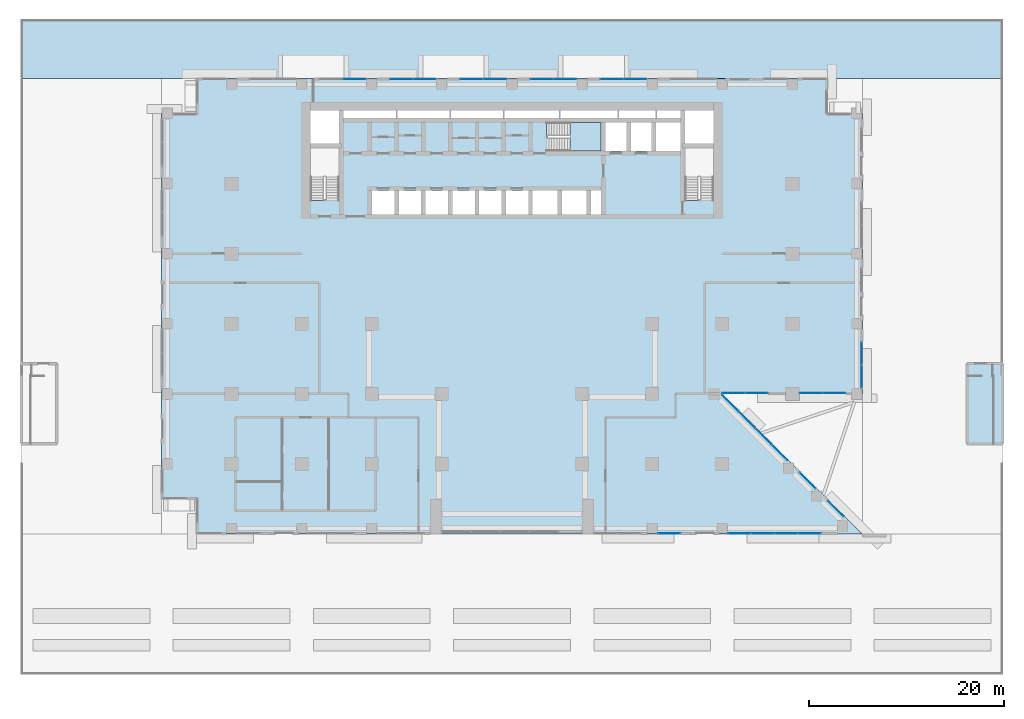
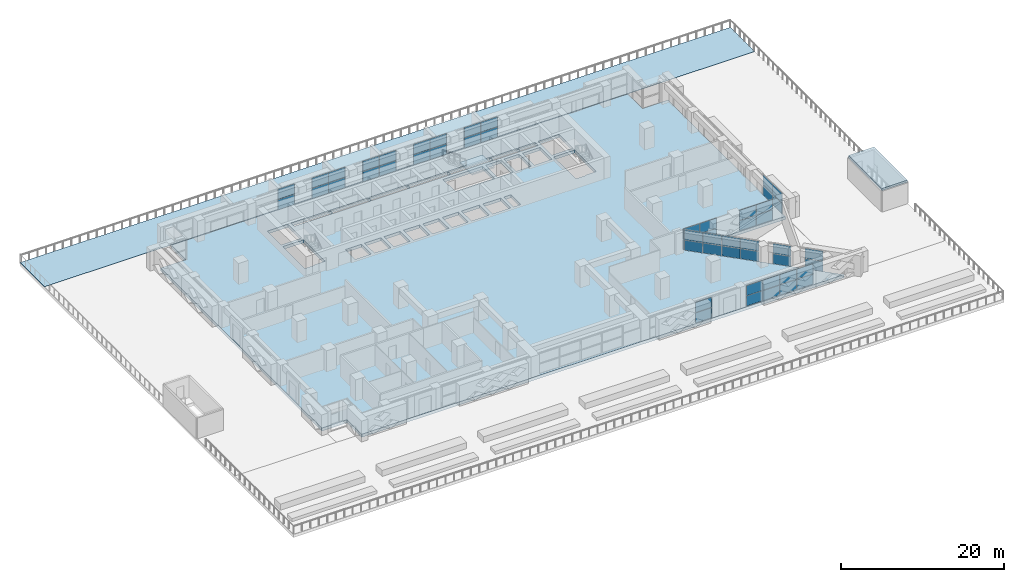
# One storey, part 11 of 24: 52 plates, 4 slabs, 14 elements without a shape of their own.
"""IFC4 building model written with IfcOpenShell, lengths in metres."""

from ifc_helpers import new_model, si_unit, direction, frame, origin, origin_2d, place, context, subcontext, project, spatial, polyline, rectangle, outline, extrude, source, transform, mapped, material, layer, layer_set, type_object, element, aggregate, save


model = new_model("IFC4")

# Units and contexts
model_context = context("Model", 3, precision=1e-05, world=origin(), true_north=direction((0.0, 1.0)))
body_context = subcontext(model_context, "Body", "Model", "MODEL_VIEW")
ifc_project = project(units=[si_unit("LENGTHUNIT", "METRE"), si_unit("AREAUNIT", "SQUARE_METRE"), si_unit("VOLUMEUNIT", "CUBIC_METRE"), si_unit("PLANEANGLEUNIT", "RADIAN"), si_unit("MASSUNIT", "GRAM", prefix="KILO")], contexts=[model_context])

# Site, building, storey
site_placement = place(None, origin())
site = spatial("IfcSite", under=ifc_project, at=site_placement, CompositionType="ELEMENT")
building_placement = place(site_placement, origin())
building = spatial("IfcBuilding", under=site, at=building_placement, Name="Saffron Iwan Residences", CompositionType="ELEMENT")
storey_placement = place(building_placement, frame((0.0, 0.0, 27.0)))
storey = spatial("IfcBuildingStorey", under=building, at=storey_placement, Name="L05", CompositionType="ELEMENT", Elevation=27.0)

# Slabs
ifc_material_1 = material(Name="Concrete C40/50", Category="concrete")
ifc_layer_1 = layer(ifc_material_1, 0.449951171875)
ifc_layer_set_1 = layer_set([ifc_layer_1], Name="Concrete C40/50")
slab_type_1 = type_object("IfcSlabType", Name="PT PLATE 450 C40/50", PredefinedType="FLOOR", material=ifc_layer_set_1)
slab_1_placement = place(storey_placement, frame((0.0, 0.0, -0.4501953125)))
element("IfcSlab", 1, at=slab_1_placement, inside=storey, type_object=slab_type_1, Name="Floor slab L05", PredefinedType="FLOOR", context=body_context, shape_type="SweptSolid", body=[
    extrude(outline(polyline([(18.0, 37.199951171875), (14.39990234375, 37.199951171875), (14.39990234375, 76.800048828125), (18.0, 76.800048828125), (18.0, 80.39990234375), (82.800048828125, 80.39990234375), (82.800048828125, 76.800048828125), (86.39990234375, 76.800048828125), (86.39990234375, 48.0), (72.0, 48.0), (86.39990234375, 33.60009765625), (18.0, 33.60009765625), (18.0, 37.199951171875)]), holes=[polyline([(38.324951171875, 66.449951171875), (38.324951171875, 68.875), (36.02490234375, 68.875), (36.02490234375, 66.449951171875), (38.324951171875, 66.449951171875)]), polyline([(41.074951171875, 66.449951171875), (41.074951171875, 68.875), (38.77490234375, 68.875), (38.77490234375, 66.449951171875), (41.074951171875, 66.449951171875)]), polyline([(43.824951171875, 68.875), (41.52490234375, 68.875), (41.52490234375, 66.449951171875), (43.824951171875, 66.449951171875), (43.824951171875, 68.875)]), polyline([(46.574951171875, 66.449951171875), (46.574951171875, 68.875), (44.27490234375, 68.875), (44.27490234375, 66.449951171875), (46.574951171875, 66.449951171875)]), polyline([(49.324951171875, 66.449951171875), (49.324951171875, 68.875), (47.02490234375, 68.875), (47.02490234375, 66.449951171875), (49.324951171875, 66.449951171875)]), polyline([(52.074951171875, 68.875), (49.77490234375, 68.875), (49.77490234375, 66.449951171875), (52.074951171875, 66.449951171875), (52.074951171875, 68.875)]), polyline([(32.64990234375, 73.25), (29.699951171875, 73.25), (29.699951171875, 67.949951171875), (29.699951171875, 67.8505859375), (31.10009765625, 67.8505859375), (31.10009765625, 67.949951171875), (32.64990234375, 67.949951171875), (32.64990234375, 73.25)]), polyline([(32.64990234375, 73.699951171875), (32.64990234375, 77.10009765625), (29.699951171875, 77.10009765625), (29.699951171875, 73.699951171875), (32.64990234375, 73.699951171875)]), polyline([(38.5, 76.324951171875), (38.5, 77.10009765625), (33.10009765625, 77.10009765625), (33.10009765625, 76.324951171875), (38.5, 76.324951171875)]), polyline([(44.0, 76.324951171875), (44.0, 77.10009765625), (38.60009765625, 77.10009765625), (38.60009765625, 76.324951171875), (44.0, 76.324951171875)]), polyline([(49.5, 76.324951171875), (49.5, 77.10009765625), (44.10009765625, 77.10009765625), (44.10009765625, 76.324951171875), (49.5, 76.324951171875)]), polyline([(55.25, 76.324951171875), (55.25, 77.10009765625), (49.60009765625, 77.10009765625), (49.60009765625, 76.324951171875), (55.25, 76.324951171875)]), polyline([(55.074951171875, 66.449951171875), (55.074951171875, 68.875), (52.52490234375, 68.875), (52.52490234375, 66.449951171875), (55.074951171875, 66.449951171875)]), polyline([(58.074951171875, 66.449951171875), (58.074951171875, 68.875), (55.52490234375, 68.875), (55.52490234375, 66.449951171875), (58.074951171875, 66.449951171875)]), polyline([(59.550048828125, 68.875), (58.52490234375, 68.875), (58.52490234375, 66.449951171875), (59.550048828125, 66.449951171875), (59.550048828125, 68.875)]), polyline([(71.10009765625, 73.25), (68.14990234375, 73.25), (68.14990234375, 67.949951171875), (68.14990234375, 67.8505859375), (69.550048828125, 67.8505859375), (69.550048828125, 67.949951171875), (71.10009765625, 67.949951171875), (71.10009765625, 73.25)]), polyline([(53.925537109375, 74.47509765625), (54.02490234375, 74.47509765625), (54.02490234375, 72.925048828125), (59.550048828125, 72.925048828125), (59.550048828125, 75.875), (54.02490234375, 75.875), (53.925537109375, 75.875), (53.925537109375, 74.47509765625)]), polyline([(62.14990234375, 75.875), (60.0, 75.875), (60.0, 72.925048828125), (62.14990234375, 72.925048828125), (62.14990234375, 75.875)]), polyline([(64.75, 72.925048828125), (64.75, 75.875), (62.60009765625, 75.875), (62.60009765625, 72.925048828125), (64.75, 72.925048828125)]), polyline([(67.699951171875, 72.925048828125), (67.699951171875, 75.875), (65.199951171875, 75.875), (65.199951171875, 72.925048828125), (67.699951171875, 72.925048828125)]), polyline([(71.10009765625, 73.699951171875), (71.10009765625, 77.10009765625), (68.14990234375, 77.10009765625), (68.14990234375, 73.699951171875), (71.10009765625, 73.699951171875)]), polyline([(61.25, 76.324951171875), (61.25, 77.10009765625), (55.35009765625, 77.10009765625), (55.35009765625, 76.324951171875), (61.25, 76.324951171875)]), polyline([(65.14990234375, 76.324951171875), (65.14990234375, 77.10009765625), (61.35009765625, 77.10009765625), (61.35009765625, 76.324951171875), (65.14990234375, 76.324951171875)]), polyline([(67.699951171875, 76.324951171875), (67.699951171875, 77.10009765625), (65.25, 77.10009765625), (65.25, 76.324951171875), (67.699951171875, 76.324951171875)])]), origin(), (0.0, 0.0, 1.0), 0.4501953125),
])
ifc_layer_2 = layer(ifc_material_1, 0.320068359375)
ifc_layer_set_2 = layer_set([ifc_layer_2], Name="Concrete C40/50")
slab_type_2 = type_object("IfcSlabType", Name="Podium stair head-house roof, 320", PredefinedType="ROOF", material=ifc_layer_set_2)
slab_2_placement = place(storey_placement, frame((0.0, 0.0, 3.179931640625)))
element("IfcSlab", 2, at=slab_2_placement, inside=storey, type_object=slab_type_2, Name="HH-ROOF-PS2", PredefinedType="ROOF", context=body_context, shape_type="SweptSolid", body=[
    extrude(outline(polyline([(100.800048828125, 42.89990234375), (100.800048828125, 51.10009765625), (97.14990234375, 51.10009765625), (97.14990234375, 42.89990234375), (100.800048828125, 42.89990234375)])), origin(), (0.0, 0.0, 1.0), 0.320068359375),
])

# Stair, slab
ifc_material_2 = material(Name="Concrete C50/60", Category="concrete")
stair_type = type_object("IfcStairType", Name="Stair ST-CORE", PredefinedType="HALF_TURN_STAIR", material=ifc_material_2)
stair_placement = place(storey_placement, origin())
stair = element("IfcStair", 3, at=stair_placement, inside=storey, type_object=stair_type, Name="L05 Exit Stair ST-C", PredefinedType="HALF_TURN_STAIR")
ifc_layer_3 = layer(ifc_material_2, 0.199951171875)
ifc_layer_set_3 = layer_set([ifc_layer_3], Name="Concrete C50/60")
slab_type_3 = type_object("IfcSlabType", Name="Stair landing SL-RC", PredefinedType="LANDING", material=ifc_layer_set_3)
slab_3_placement = place(storey_placement, frame((0.0, 0.0, 1.5498046875)))
slab_3 = element("IfcSlab", 4, at=slab_3_placement, type_object=slab_type_3, Name="ST-C landing 1", PredefinedType="LANDING", context=body_context, shape_type="SweptSolid", body=[
    extrude(outline(polyline([(56.35498046875, 72.925048828125), (59.550048828125, 72.925048828125), (59.550048828125, 75.875), (56.35498046875, 75.875), (56.35498046875, 72.925048828125)])), origin(), (0.0, 0.0, 1.0), 0.2001953125),
])
aggregate(stair, [slab_3])

# Slab
ifc_material_3 = material(Name="Stone paving", Category="masonry")
ifc_layer_4 = layer(ifc_material_3, 0.050048828125)
ifc_layer_set_4 = layer_set([ifc_layer_4], Name="Stone paving")
slab_type_4 = type_object("IfcSlabType", Name="TERRACE PAVING 50", PredefinedType="USERDEFINED", material=ifc_layer_set_4)
slab_4_placement = place(storey_placement, origin())
element("IfcSlab", 5, at=slab_4_placement, inside=storey, type_object=slab_type_4, Name="Terrace paving L05 N2", ObjectType="PAVING", PredefinedType="USERDEFINED", context=body_context, shape_type="SweptSolid", body=[
    extrude(outline(polyline([(0.0, 86.39990234375), (0.0, 80.39990234375), (18.0, 80.39990234375), (82.800048828125, 80.39990234375), (100.800048828125, 80.39990234375), (100.800048828125, 86.39990234375), (0.0, 86.39990234375)])), origin(), (0.0, 0.0, 1.0), 0.050048828125),
])

# Curtain wall, plates
ifc_material_4 = material(Name="Clear glass, laminated double glazed", Category="glass")
ifc_layer_5 = layer(ifc_material_4, 0.14990234375)
ifc_layer_set_5 = layer_set([ifc_layer_5], Name="Clear glass, laminated double glazed")
curtain_wall_type = type_object("IfcCurtainWallType", Name="CW-D GARDEN FLOOR GLAZING", PredefinedType="NOTDEFINED", material=ifc_layer_set_5)
curtain_wall_1_placement = place(storey_placement, origin())
curtain_wall_1 = element("IfcCurtainWall", 6, at=curtain_wall_1_placement, inside=storey, type_object=curtain_wall_type, Name="Glazing L05 F0.1", PredefinedType="NOTDEFINED")
ifc_layer_6 = layer(ifc_material_4, 0.028076171875)
ifc_layer_set_6 = layer_set([ifc_layer_6], Name="Clear glass, laminated double glazed")
plate_type = type_object("IfcPlateType", Name="CW-D PANEL 28", PredefinedType="CURTAIN_PANEL", material=ifc_layer_set_6)
shared_shape_1 = source(origin(), body_context, "Body", "SweptSolid", [
    extrude(rectangle(XDim=2.280029296875, YDim=0.028076171875, at=origin_2d()), origin(), (0.0, 0.0, 1.0), 1.5),
])
plate_1_placement = place(storey_placement, frame((83.668701171875, 36.218017578125, 0.06005859375), z_axis=(0.0, 0.0, 1.0), x_axis=(-0.707106781187, 0.707106781187, 0.0)))
plate_1 = element("IfcPlate", 7, at=plate_1_placement, type_object=plate_type, Name="CW-D panel 1.1", PredefinedType="CURTAIN_PANEL", context=body_context, shape_type="MappedRepresentation", body=[
    mapped(shared_shape_1, transform((0.0, 0.0, 0.0))),
])
plate_2_placement = place(storey_placement, frame((83.668701171875, 36.218017578125, 1.6201171875), z_axis=(0.0, 0.0, 1.0), x_axis=(-0.707106781187, 0.707106781187, 0.0)))
plate_2 = element("IfcPlate", 8, at=plate_2_placement, type_object=plate_type, Name="CW-D panel 1.2", PredefinedType="CURTAIN_PANEL", context=body_context, shape_type="MappedRepresentation", body=[
    mapped(shared_shape_1, transform((0.0, 0.0, 0.0))),
])
aggregate(curtain_wall_1, [plate_1, plate_2])

curtain_wall_2_placement = place(storey_placement, origin())
curtain_wall_2 = element("IfcCurtainWall", 9, at=curtain_wall_2_placement, inside=storey, type_object=curtain_wall_type, Name="Glazing L05 F0.2", PredefinedType="NOTDEFINED")
plate_3_placement = place(storey_placement, frame((80.785888671875, 39.100830078125, 0.06005859375), z_axis=(0.0, 0.0, 1.0), x_axis=(-0.707106781187, 0.707106781187, 0.0)))
plate_3 = element("IfcPlate", 10, at=plate_3_placement, type_object=plate_type, Name="CW-D panel 1.1", PredefinedType="CURTAIN_PANEL", context=body_context, shape_type="MappedRepresentation", body=[
    mapped(shared_shape_1, transform((0.0, 0.0, 0.0))),
])
plate_4_placement = place(storey_placement, frame((80.785888671875, 39.100830078125, 1.6201171875), z_axis=(0.0, 0.0, 1.0), x_axis=(-0.707106781187, 0.707106781187, 0.0)))
plate_4 = element("IfcPlate", 11, at=plate_4_placement, type_object=plate_type, Name="CW-D panel 1.2", PredefinedType="CURTAIN_PANEL", context=body_context, shape_type="MappedRepresentation", body=[
    mapped(shared_shape_1, transform((0.0, 0.0, 0.0))),
])
aggregate(curtain_wall_2, [plate_3, plate_4])

curtain_wall_3_placement = place(storey_placement, origin())
curtain_wall_3 = element("IfcCurtainWall", 12, at=curtain_wall_3_placement, inside=storey, type_object=curtain_wall_type, Name="Glazing L05 F11.5", PredefinedType="NOTDEFINED")
plate_5_placement = place(storey_placement, frame((66.550048828125, 33.679931640625, 0.06005859375), z_axis=(0.0, 0.0, 1.0), x_axis=(1.0, 0.0, 0.0)))
plate_5 = element("IfcPlate", 13, at=plate_5_placement, type_object=plate_type, Name="CW-D panel 1.1", PredefinedType="CURTAIN_PANEL", context=body_context, shape_type="MappedRepresentation", body=[
    mapped(shared_shape_1, transform((0.0, 0.0, 0.0))),
])
plate_6_placement = place(storey_placement, frame((66.550048828125, 33.679931640625, 1.6201171875), z_axis=(0.0, 0.0, 1.0), x_axis=(1.0, 0.0, 0.0)))
plate_6 = element("IfcPlate", 14, at=plate_6_placement, type_object=plate_type, Name="CW-D panel 1.2", PredefinedType="CURTAIN_PANEL", context=body_context, shape_type="MappedRepresentation", body=[
    mapped(shared_shape_1, transform((0.0, 0.0, 0.0))),
])
aggregate(curtain_wall_3, [plate_5, plate_6])

curtain_wall_4_placement = place(storey_placement, origin())
curtain_wall_4 = element("IfcCurtainWall", 15, at=curtain_wall_4_placement, inside=storey, type_object=curtain_wall_type, Name="Glazing L05 F0.3", PredefinedType="NOTDEFINED")
shared_shape_2 = source(origin(), body_context, "Body", "SweptSolid", [
    extrude(rectangle(XDim=2.31005859375, YDim=0.028076171875, at=origin_2d()), origin(), (0.0, 0.0, 1.0), 1.5),
])
plate_7_placement = place(storey_placement, frame((77.8955078125, 41.991455078125, 0.06005859375), z_axis=(0.0, 0.0, 1.0), x_axis=(-0.707106781187, 0.707106781187, 0.0)))
plate_7 = element("IfcPlate", 16, at=plate_7_placement, type_object=plate_type, Name="CW-D panel 1.1", PredefinedType="CURTAIN_PANEL", context=body_context, shape_type="MappedRepresentation", body=[
    mapped(shared_shape_2, transform((0.0, 0.0, 0.0))),
])
plate_8_placement = place(storey_placement, frame((77.8955078125, 41.991455078125, 1.6201171875), z_axis=(0.0, 0.0, 1.0), x_axis=(-0.707106781187, 0.707106781187, 0.0)))
plate_8 = element("IfcPlate", 17, at=plate_8_placement, type_object=plate_type, Name="CW-D panel 1.2", PredefinedType="CURTAIN_PANEL", context=body_context, shape_type="MappedRepresentation", body=[
    mapped(shared_shape_2, transform((0.0, 0.0, 0.0))),
])
plate_9_placement = place(storey_placement, frame((72.825439453125, 47.0615234375, 0.06005859375), z_axis=(0.0, 0.0, 1.0), x_axis=(-0.707106781187, 0.707106781187, 0.0)))
plate_9 = element("IfcPlate", 18, at=plate_9_placement, type_object=plate_type, Name="CW-D panel 4.1", PredefinedType="CURTAIN_PANEL", context=body_context, shape_type="MappedRepresentation", body=[
    mapped(shared_shape_2, transform((0.0, 0.0, 0.0))),
])
plate_10_placement = place(storey_placement, frame((72.825439453125, 47.0615234375, 1.6201171875), z_axis=(0.0, 0.0, 1.0), x_axis=(-0.707106781187, 0.707106781187, 0.0)))
plate_10 = element("IfcPlate", 19, at=plate_10_placement, type_object=plate_type, Name="CW-D panel 4.2", PredefinedType="CURTAIN_PANEL", context=body_context, shape_type="MappedRepresentation", body=[
    mapped(shared_shape_2, transform((0.0, 0.0, 0.0))),
])

curtain_wall_5_placement = place(storey_placement, origin())
curtain_wall_5 = element("IfcCurtainWall", 20, at=curtain_wall_5_placement, inside=storey, type_object=curtain_wall_type, Name="Glazing L05 F1.0", PredefinedType="NOTDEFINED")
plate_11_placement = place(storey_placement, frame((73.1318359375, 48.080078125, 0.06005859375), z_axis=(0.0, 0.0, 1.0), x_axis=(1.0, 0.0, 0.0)))
plate_11 = element("IfcPlate", 21, at=plate_11_placement, type_object=plate_type, Name="CW-D panel 1.1", PredefinedType="CURTAIN_PANEL", context=body_context, shape_type="MappedRepresentation", body=[
    mapped(shared_shape_2, transform((0.0, 0.0, 0.0))),
])
plate_12_placement = place(storey_placement, frame((73.1318359375, 48.080078125, 1.6201171875), z_axis=(0.0, 0.0, 1.0), x_axis=(1.0, 0.0, 0.0)))
plate_12 = element("IfcPlate", 22, at=plate_12_placement, type_object=plate_type, Name="CW-D panel 1.2", PredefinedType="CURTAIN_PANEL", context=body_context, shape_type="MappedRepresentation", body=[
    mapped(shared_shape_2, transform((0.0, 0.0, 0.0))),
])
plate_13_placement = place(storey_placement, frame((75.501953125, 48.080078125, 0.06005859375), z_axis=(0.0, 0.0, 1.0), x_axis=(1.0, 0.0, 0.0)))
plate_13 = element("IfcPlate", 23, at=plate_13_placement, type_object=plate_type, Name="CW-D panel 2.1", PredefinedType="CURTAIN_PANEL", context=body_context, shape_type="MappedRepresentation", body=[
    mapped(shared_shape_2, transform((0.0, 0.0, 0.0))),
])
plate_14_placement = place(storey_placement, frame((75.501953125, 48.080078125, 1.6201171875), z_axis=(0.0, 0.0, 1.0), x_axis=(1.0, 0.0, 0.0)))
plate_14 = element("IfcPlate", 24, at=plate_14_placement, type_object=plate_type, Name="CW-D panel 2.2", PredefinedType="CURTAIN_PANEL", context=body_context, shape_type="MappedRepresentation", body=[
    mapped(shared_shape_2, transform((0.0, 0.0, 0.0))),
])
aggregate(curtain_wall_5, [plate_11, plate_12, plate_13, plate_14])

curtain_wall_6_placement = place(storey_placement, origin())
curtain_wall_6 = element("IfcCurtainWall", 25, at=curtain_wall_6_placement, inside=storey, type_object=curtain_wall_type, Name="Glazing L05 F1.1", PredefinedType="NOTDEFINED")
plate_15_placement = place(storey_placement, frame((81.114990234375, 48.080078125, 0.06005859375), z_axis=(0.0, 0.0, 1.0), x_axis=(1.0, 0.0, 0.0)))
plate_15 = element("IfcPlate", 26, at=plate_15_placement, type_object=plate_type, Name="CW-D panel 1.1", PredefinedType="CURTAIN_PANEL", context=body_context, shape_type="MappedRepresentation", body=[
    mapped(shared_shape_2, transform((0.0, 0.0, 0.0))),
])
plate_16_placement = place(storey_placement, frame((81.114990234375, 48.080078125, 1.6201171875), z_axis=(0.0, 0.0, 1.0), x_axis=(1.0, 0.0, 0.0)))
plate_16 = element("IfcPlate", 27, at=plate_16_placement, type_object=plate_type, Name="CW-D panel 1.2", PredefinedType="CURTAIN_PANEL", context=body_context, shape_type="MappedRepresentation", body=[
    mapped(shared_shape_2, transform((0.0, 0.0, 0.0))),
])
plate_17_placement = place(storey_placement, frame((83.485107421875, 48.080078125, 0.06005859375), z_axis=(0.0, 0.0, 1.0), x_axis=(1.0, 0.0, 0.0)))
plate_17 = element("IfcPlate", 28, at=plate_17_placement, type_object=plate_type, Name="CW-D panel 2.1", PredefinedType="CURTAIN_PANEL", context=body_context, shape_type="MappedRepresentation", body=[
    mapped(shared_shape_2, transform((0.0, 0.0, 0.0))),
])
plate_18_placement = place(storey_placement, frame((83.485107421875, 48.080078125, 1.6201171875), z_axis=(0.0, 0.0, 1.0), x_axis=(1.0, 0.0, 0.0)))
plate_18 = element("IfcPlate", 29, at=plate_18_placement, type_object=plate_type, Name="CW-D panel 2.2", PredefinedType="CURTAIN_PANEL", context=body_context, shape_type="MappedRepresentation", body=[
    mapped(shared_shape_2, transform((0.0, 0.0, 0.0))),
])
aggregate(curtain_wall_6, [plate_15, plate_16, plate_17, plate_18])

curtain_wall_7_placement = place(storey_placement, origin())
curtain_wall_7 = element("IfcCurtainWall", 30, at=curtain_wall_7_placement, inside=storey, type_object=curtain_wall_type, Name="Glazing L05 F2.0", PredefinedType="NOTDEFINED")
plate_19_placement = place(storey_placement, frame((86.320068359375, 49.764892578125, 0.06005859375), z_axis=(0.0, 0.0, 1.0), x_axis=(0.0, 1.0, 0.0)))
plate_19 = element("IfcPlate", 31, at=plate_19_placement, type_object=plate_type, Name="CW-D panel 1.1", PredefinedType="CURTAIN_PANEL", context=body_context, shape_type="MappedRepresentation", body=[
    mapped(shared_shape_2, transform((0.0, 0.0, 0.0))),
])
plate_20_placement = place(storey_placement, frame((86.320068359375, 49.764892578125, 1.6201171875), z_axis=(0.0, 0.0, 1.0), x_axis=(0.0, 1.0, 0.0)))
plate_20 = element("IfcPlate", 32, at=plate_20_placement, type_object=plate_type, Name="CW-D panel 1.2", PredefinedType="CURTAIN_PANEL", context=body_context, shape_type="MappedRepresentation", body=[
    mapped(shared_shape_2, transform((0.0, 0.0, 0.0))),
])
plate_21_placement = place(storey_placement, frame((86.320068359375, 52.135009765625, 0.06005859375), z_axis=(0.0, 0.0, 1.0), x_axis=(0.0, 1.0, 0.0)))
plate_21 = element("IfcPlate", 33, at=plate_21_placement, type_object=plate_type, Name="CW-D panel 2.1", PredefinedType="CURTAIN_PANEL", context=body_context, shape_type="MappedRepresentation", body=[
    mapped(shared_shape_2, transform((0.0, 0.0, 0.0))),
])
plate_22_placement = place(storey_placement, frame((86.320068359375, 52.135009765625, 1.6201171875), z_axis=(0.0, 0.0, 1.0), x_axis=(0.0, 1.0, 0.0)))
plate_22 = element("IfcPlate", 34, at=plate_22_placement, type_object=plate_type, Name="CW-D panel 2.2", PredefinedType="CURTAIN_PANEL", context=body_context, shape_type="MappedRepresentation", body=[
    mapped(shared_shape_2, transform((0.0, 0.0, 0.0))),
])
aggregate(curtain_wall_7, [plate_19, plate_20, plate_21, plate_22])

curtain_wall_8_placement = place(storey_placement, origin())
curtain_wall_8 = element("IfcCurtainWall", 35, at=curtain_wall_8_placement, inside=storey, type_object=curtain_wall_type, Name="Glazing L05 F5.3", PredefinedType="NOTDEFINED")
plate_23_placement = place(storey_placement, frame((63.034912109375, 80.320068359375, 0.06005859375), z_axis=(0.0, 0.0, 1.0), x_axis=(-1.0, 0.0, 0.0)))
plate_23 = element("IfcPlate", 36, at=plate_23_placement, type_object=plate_type, Name="CW-D panel 1.1", PredefinedType="CURTAIN_PANEL", context=body_context, shape_type="MappedRepresentation", body=[
    mapped(shared_shape_2, transform((0.0, 0.0, 0.0))),
])
plate_24_placement = place(storey_placement, frame((63.034912109375, 80.320068359375, 1.6201171875), z_axis=(0.0, 0.0, 1.0), x_axis=(-1.0, 0.0, 0.0)))
plate_24 = element("IfcPlate", 37, at=plate_24_placement, type_object=plate_type, Name="CW-D panel 1.2", PredefinedType="CURTAIN_PANEL", context=body_context, shape_type="MappedRepresentation", body=[
    mapped(shared_shape_2, transform((0.0, 0.0, 0.0))),
])
plate_25_placement = place(storey_placement, frame((60.6650390625, 80.320068359375, 0.06005859375), z_axis=(0.0, 0.0, 1.0), x_axis=(-1.0, 0.0, 0.0)))
plate_25 = element("IfcPlate", 38, at=plate_25_placement, type_object=plate_type, Name="CW-D panel 2.1", PredefinedType="CURTAIN_PANEL", context=body_context, shape_type="MappedRepresentation", body=[
    mapped(shared_shape_2, transform((0.0, 0.0, 0.0))),
])
plate_26_placement = place(storey_placement, frame((60.6650390625, 80.320068359375, 1.6201171875), z_axis=(0.0, 0.0, 1.0), x_axis=(-1.0, 0.0, 0.0)))
plate_26 = element("IfcPlate", 39, at=plate_26_placement, type_object=plate_type, Name="CW-D panel 2.2", PredefinedType="CURTAIN_PANEL", context=body_context, shape_type="MappedRepresentation", body=[
    mapped(shared_shape_2, transform((0.0, 0.0, 0.0))),
])
aggregate(curtain_wall_8, [plate_23, plate_24, plate_25, plate_26])

curtain_wall_9_placement = place(storey_placement, origin())
curtain_wall_9 = element("IfcCurtainWall", 40, at=curtain_wall_9_placement, inside=storey, type_object=curtain_wall_type, Name="Glazing L05 F5.4", PredefinedType="NOTDEFINED")
plate_27_placement = place(storey_placement, frame((55.8349609375, 80.320068359375, 0.06005859375), z_axis=(0.0, 0.0, 1.0), x_axis=(-1.0, 0.0, 0.0)))
plate_27 = element("IfcPlate", 41, at=plate_27_placement, type_object=plate_type, Name="CW-D panel 1.1", PredefinedType="CURTAIN_PANEL", context=body_context, shape_type="MappedRepresentation", body=[
    mapped(shared_shape_2, transform((0.0, 0.0, 0.0))),
])
plate_28_placement = place(storey_placement, frame((55.8349609375, 80.320068359375, 1.6201171875), z_axis=(0.0, 0.0, 1.0), x_axis=(-1.0, 0.0, 0.0)))
plate_28 = element("IfcPlate", 42, at=plate_28_placement, type_object=plate_type, Name="CW-D panel 1.2", PredefinedType="CURTAIN_PANEL", context=body_context, shape_type="MappedRepresentation", body=[
    mapped(shared_shape_2, transform((0.0, 0.0, 0.0))),
])
plate_29_placement = place(storey_placement, frame((53.465087890625, 80.320068359375, 0.06005859375), z_axis=(0.0, 0.0, 1.0), x_axis=(-1.0, 0.0, 0.0)))
plate_29 = element("IfcPlate", 43, at=plate_29_placement, type_object=plate_type, Name="CW-D panel 2.1", PredefinedType="CURTAIN_PANEL", context=body_context, shape_type="MappedRepresentation", body=[
    mapped(shared_shape_2, transform((0.0, 0.0, 0.0))),
])
plate_30_placement = place(storey_placement, frame((53.465087890625, 80.320068359375, 1.6201171875), z_axis=(0.0, 0.0, 1.0), x_axis=(-1.0, 0.0, 0.0)))
plate_30 = element("IfcPlate", 44, at=plate_30_placement, type_object=plate_type, Name="CW-D panel 2.2", PredefinedType="CURTAIN_PANEL", context=body_context, shape_type="MappedRepresentation", body=[
    mapped(shared_shape_2, transform((0.0, 0.0, 0.0))),
])
aggregate(curtain_wall_9, [plate_27, plate_28, plate_29, plate_30])

curtain_wall_10_placement = place(storey_placement, origin())
curtain_wall_10 = element("IfcCurtainWall", 45, at=curtain_wall_10_placement, inside=storey, type_object=curtain_wall_type, Name="Glazing L05 F5.5", PredefinedType="NOTDEFINED")
plate_31_placement = place(storey_placement, frame((48.635009765625, 80.320068359375, 0.06005859375), z_axis=(0.0, 0.0, 1.0), x_axis=(-1.0, 0.0, 0.0)))
plate_31 = element("IfcPlate", 46, at=plate_31_placement, type_object=plate_type, Name="CW-D panel 1.1", PredefinedType="CURTAIN_PANEL", context=body_context, shape_type="MappedRepresentation", body=[
    mapped(shared_shape_2, transform((0.0, 0.0, 0.0))),
])
plate_32_placement = place(storey_placement, frame((48.635009765625, 80.320068359375, 1.6201171875), z_axis=(0.0, 0.0, 1.0), x_axis=(-1.0, 0.0, 0.0)))
plate_32 = element("IfcPlate", 47, at=plate_32_placement, type_object=plate_type, Name="CW-D panel 1.2", PredefinedType="CURTAIN_PANEL", context=body_context, shape_type="MappedRepresentation", body=[
    mapped(shared_shape_2, transform((0.0, 0.0, 0.0))),
])
plate_33_placement = place(storey_placement, frame((46.264892578125, 80.320068359375, 0.06005859375), z_axis=(0.0, 0.0, 1.0), x_axis=(-1.0, 0.0, 0.0)))
plate_33 = element("IfcPlate", 48, at=plate_33_placement, type_object=plate_type, Name="CW-D panel 2.1", PredefinedType="CURTAIN_PANEL", context=body_context, shape_type="MappedRepresentation", body=[
    mapped(shared_shape_2, transform((0.0, 0.0, 0.0))),
])
plate_34_placement = place(storey_placement, frame((46.264892578125, 80.320068359375, 1.6201171875), z_axis=(0.0, 0.0, 1.0), x_axis=(-1.0, 0.0, 0.0)))
plate_34 = element("IfcPlate", 49, at=plate_34_placement, type_object=plate_type, Name="CW-D panel 2.2", PredefinedType="CURTAIN_PANEL", context=body_context, shape_type="MappedRepresentation", body=[
    mapped(shared_shape_2, transform((0.0, 0.0, 0.0))),
])
aggregate(curtain_wall_10, [plate_31, plate_32, plate_33, plate_34])

curtain_wall_11_placement = place(storey_placement, origin())
curtain_wall_11 = element("IfcCurtainWall", 50, at=curtain_wall_11_placement, inside=storey, type_object=curtain_wall_type, Name="Glazing L05 F5.6", PredefinedType="NOTDEFINED")
plate_35_placement = place(storey_placement, frame((41.43505859375, 80.320068359375, 0.06005859375), z_axis=(0.0, 0.0, 1.0), x_axis=(-1.0, 0.0, 0.0)))
plate_35 = element("IfcPlate", 51, at=plate_35_placement, type_object=plate_type, Name="CW-D panel 1.1", PredefinedType="CURTAIN_PANEL", context=body_context, shape_type="MappedRepresentation", body=[
    mapped(shared_shape_2, transform((0.0, 0.0, 0.0))),
])
plate_36_placement = place(storey_placement, frame((41.43505859375, 80.320068359375, 1.6201171875), z_axis=(0.0, 0.0, 1.0), x_axis=(-1.0, 0.0, 0.0)))
plate_36 = element("IfcPlate", 52, at=plate_36_placement, type_object=plate_type, Name="CW-D panel 1.2", PredefinedType="CURTAIN_PANEL", context=body_context, shape_type="MappedRepresentation", body=[
    mapped(shared_shape_2, transform((0.0, 0.0, 0.0))),
])
plate_37_placement = place(storey_placement, frame((39.06494140625, 80.320068359375, 0.06005859375), z_axis=(0.0, 0.0, 1.0), x_axis=(-1.0, 0.0, 0.0)))
plate_37 = element("IfcPlate", 53, at=plate_37_placement, type_object=plate_type, Name="CW-D panel 2.1", PredefinedType="CURTAIN_PANEL", context=body_context, shape_type="MappedRepresentation", body=[
    mapped(shared_shape_2, transform((0.0, 0.0, 0.0))),
])
plate_38_placement = place(storey_placement, frame((39.06494140625, 80.320068359375, 1.6201171875), z_axis=(0.0, 0.0, 1.0), x_axis=(-1.0, 0.0, 0.0)))
plate_38 = element("IfcPlate", 54, at=plate_38_placement, type_object=plate_type, Name="CW-D panel 2.2", PredefinedType="CURTAIN_PANEL", context=body_context, shape_type="MappedRepresentation", body=[
    mapped(shared_shape_2, transform((0.0, 0.0, 0.0))),
])
aggregate(curtain_wall_11, [plate_35, plate_36, plate_37, plate_38])

curtain_wall_12_placement = place(storey_placement, origin())
curtain_wall_12 = element("IfcCurtainWall", 55, at=curtain_wall_12_placement, inside=storey, type_object=curtain_wall_type, Name="Glazing L05 F5.7", PredefinedType="NOTDEFINED")
plate_39_placement = place(storey_placement, frame((34.235107421875, 80.320068359375, 0.06005859375), z_axis=(0.0, 0.0, 1.0), x_axis=(-1.0, 0.0, 0.0)))
plate_39 = element("IfcPlate", 56, at=plate_39_placement, type_object=plate_type, Name="CW-D panel 1.1", PredefinedType="CURTAIN_PANEL", context=body_context, shape_type="MappedRepresentation", body=[
    mapped(shared_shape_2, transform((0.0, 0.0, 0.0))),
])
plate_40_placement = place(storey_placement, frame((34.235107421875, 80.320068359375, 1.6201171875), z_axis=(0.0, 0.0, 1.0), x_axis=(-1.0, 0.0, 0.0)))
plate_40 = element("IfcPlate", 57, at=plate_40_placement, type_object=plate_type, Name="CW-D panel 1.2", PredefinedType="CURTAIN_PANEL", context=body_context, shape_type="MappedRepresentation", body=[
    mapped(shared_shape_2, transform((0.0, 0.0, 0.0))),
])
aggregate(curtain_wall_12, [plate_39, plate_40])

curtain_wall_13_placement = place(storey_placement, origin())
curtain_wall_13 = element("IfcCurtainWall", 58, at=curtain_wall_13_placement, inside=storey, type_object=curtain_wall_type, Name="Glazing L05 F11.6", PredefinedType="NOTDEFINED")
plate_41_placement = place(storey_placement, frame((73.764892578125, 33.679931640625, 0.06005859375), z_axis=(0.0, 0.0, 1.0), x_axis=(1.0, 0.0, 0.0)))
plate_41 = element("IfcPlate", 59, at=plate_41_placement, type_object=plate_type, Name="CW-D panel 1.1", PredefinedType="CURTAIN_PANEL", context=body_context, shape_type="MappedRepresentation", body=[
    mapped(shared_shape_2, transform((0.0, 0.0, 0.0))),
])
plate_42_placement = place(storey_placement, frame((73.764892578125, 33.679931640625, 1.6201171875), z_axis=(0.0, 0.0, 1.0), x_axis=(1.0, 0.0, 0.0)))
plate_42 = element("IfcPlate", 60, at=plate_42_placement, type_object=plate_type, Name="CW-D panel 1.2", PredefinedType="CURTAIN_PANEL", context=body_context, shape_type="MappedRepresentation", body=[
    mapped(shared_shape_2, transform((0.0, 0.0, 0.0))),
])
plate_43_placement = place(storey_placement, frame((80.93505859375, 33.679931640625, 0.06005859375), z_axis=(0.0, 0.0, 1.0), x_axis=(1.0, 0.0, 0.0)))
plate_43 = element("IfcPlate", 61, at=plate_43_placement, type_object=plate_type, Name="CW-D panel 4.1", PredefinedType="CURTAIN_PANEL", context=body_context, shape_type="MappedRepresentation", body=[
    mapped(shared_shape_2, transform((0.0, 0.0, 0.0))),
])
plate_44_placement = place(storey_placement, frame((80.93505859375, 33.679931640625, 1.6201171875), z_axis=(0.0, 0.0, 1.0), x_axis=(1.0, 0.0, 0.0)))
plate_44 = element("IfcPlate", 62, at=plate_44_placement, type_object=plate_type, Name="CW-D panel 4.2", PredefinedType="CURTAIN_PANEL", context=body_context, shape_type="MappedRepresentation", body=[
    mapped(shared_shape_2, transform((0.0, 0.0, 0.0))),
])

# Plate
shared_shape_3 = source(origin(), body_context, "Body", "SweptSolid", [
    extrude(rectangle(XDim=2.340087890625, YDim=0.028076171875, at=origin_2d()), origin(), (0.0, 0.0, 1.0), 1.5),
])
plate_45_placement = place(storey_placement, frame((76.208984375, 43.677978515625, 0.06005859375), z_axis=(0.0, 0.0, 1.0), x_axis=(-0.707106781187, 0.707106781187, 0.0)))
plate_45 = element("IfcPlate", 63, at=plate_45_placement, type_object=plate_type, Name="CW-D panel 2.1", PredefinedType="CURTAIN_PANEL", context=body_context, shape_type="MappedRepresentation", body=[
    mapped(shared_shape_3, transform((0.0, 0.0, 0.0))),
])

plate_46_placement = place(storey_placement, frame((76.208984375, 43.677978515625, 1.6201171875), z_axis=(0.0, 0.0, 1.0), x_axis=(-0.707106781187, 0.707106781187, 0.0)))
plate_46 = element("IfcPlate", 64, at=plate_46_placement, type_object=plate_type, Name="CW-D panel 2.2", PredefinedType="CURTAIN_PANEL", context=body_context, shape_type="MappedRepresentation", body=[
    mapped(shared_shape_3, transform((0.0, 0.0, 0.0))),
])

plate_47_placement = place(storey_placement, frame((74.511962890625, 45.375, 0.06005859375), z_axis=(0.0, 0.0, 1.0), x_axis=(-0.707106781187, 0.707106781187, 0.0)))
plate_47 = element("IfcPlate", 65, at=plate_47_placement, type_object=plate_type, Name="CW-D panel 3.1", PredefinedType="CURTAIN_PANEL", context=body_context, shape_type="MappedRepresentation", body=[
    mapped(shared_shape_3, transform((0.0, 0.0, 0.0))),
])

plate_48_placement = place(storey_placement, frame((74.511962890625, 45.375, 1.6201171875), z_axis=(0.0, 0.0, 1.0), x_axis=(-0.707106781187, 0.707106781187, 0.0)))
plate_48 = element("IfcPlate", 66, at=plate_48_placement, type_object=plate_type, Name="CW-D panel 3.2", PredefinedType="CURTAIN_PANEL", context=body_context, shape_type="MappedRepresentation", body=[
    mapped(shared_shape_3, transform((0.0, 0.0, 0.0))),
])

aggregate(curtain_wall_4, [plate_7, plate_8, plate_45, plate_46, plate_47, plate_48, plate_9, plate_10])

plate_49_placement = place(storey_placement, frame((76.14990234375, 33.679931640625, 0.06005859375), z_axis=(0.0, 0.0, 1.0), x_axis=(1.0, 0.0, 0.0)))
plate_49 = element("IfcPlate", 67, at=plate_49_placement, type_object=plate_type, Name="CW-D panel 2.1", PredefinedType="CURTAIN_PANEL", context=body_context, shape_type="MappedRepresentation", body=[
    mapped(shared_shape_3, transform((0.0, 0.0, 0.0))),
])

plate_50_placement = place(storey_placement, frame((76.14990234375, 33.679931640625, 1.6201171875), z_axis=(0.0, 0.0, 1.0), x_axis=(1.0, 0.0, 0.0)))
plate_50 = element("IfcPlate", 68, at=plate_50_placement, type_object=plate_type, Name="CW-D panel 2.2", PredefinedType="CURTAIN_PANEL", context=body_context, shape_type="MappedRepresentation", body=[
    mapped(shared_shape_3, transform((0.0, 0.0, 0.0))),
])

plate_51_placement = place(storey_placement, frame((78.550048828125, 33.679931640625, 0.06005859375), z_axis=(0.0, 0.0, 1.0), x_axis=(1.0, 0.0, 0.0)))
plate_51 = element("IfcPlate", 69, at=plate_51_placement, type_object=plate_type, Name="CW-D panel 3.1", PredefinedType="CURTAIN_PANEL", context=body_context, shape_type="MappedRepresentation", body=[
    mapped(shared_shape_3, transform((0.0, 0.0, 0.0))),
])

plate_52_placement = place(storey_placement, frame((78.550048828125, 33.679931640625, 1.6201171875), z_axis=(0.0, 0.0, 1.0), x_axis=(1.0, 0.0, 0.0)))
plate_52 = element("IfcPlate", 70, at=plate_52_placement, type_object=plate_type, Name="CW-D panel 3.2", PredefinedType="CURTAIN_PANEL", context=body_context, shape_type="MappedRepresentation", body=[
    mapped(shared_shape_3, transform((0.0, 0.0, 0.0))),
])

aggregate(curtain_wall_13, [plate_41, plate_42, plate_49, plate_50, plate_51, plate_52, plate_43, plate_44])

save(model, "model.ifc")
